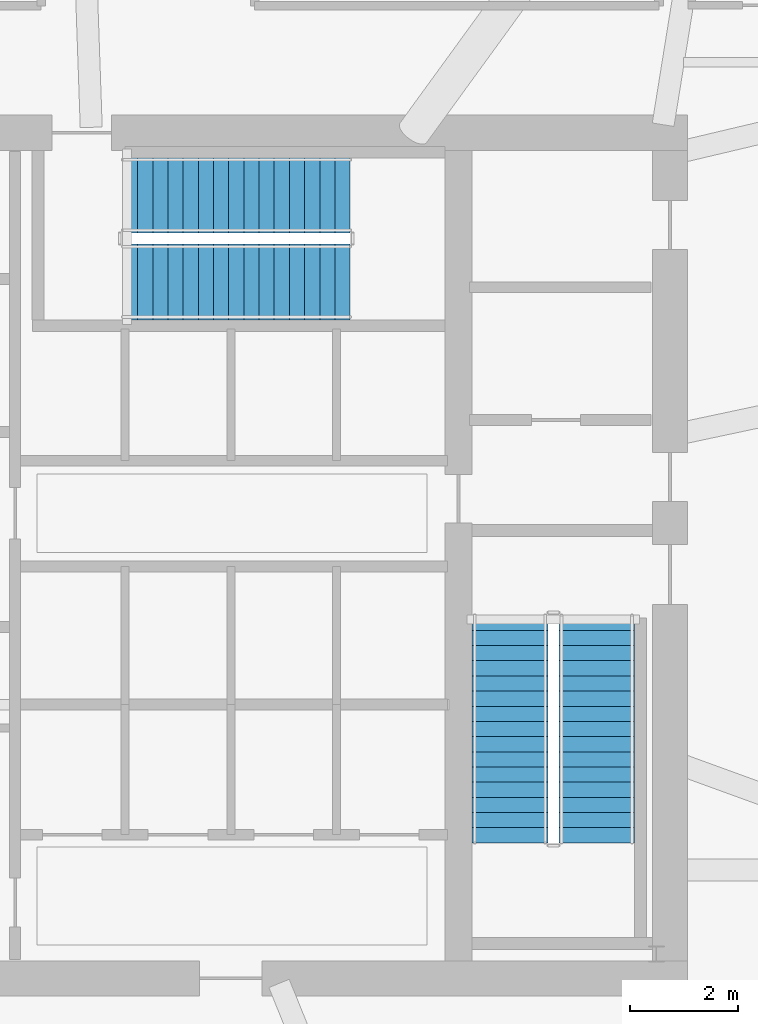
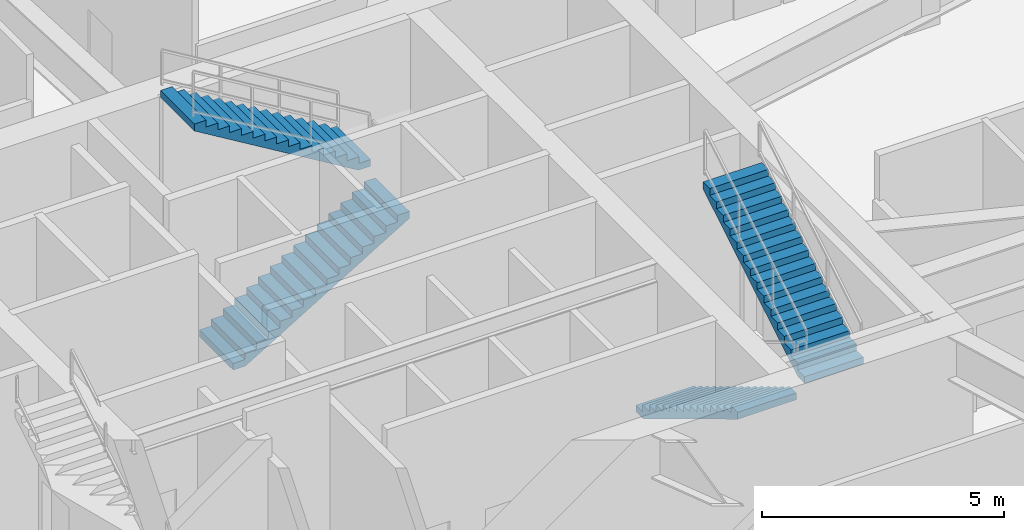
# One storey, part 7 of 10: 4 stair flights, 2 elements without a shape of their own.
"""IFC4 building model written with IfcOpenShell, lengths in metres."""

from ifc_helpers import new_model, si_unit, direction, frame, origin, place, context, subcontext, project, spatial, polyline, outline, extrude, material, type_object, element, aggregate, save


model = new_model("IFC4")

# Units and contexts
model_context = context("Model", 3, precision=1e-05, world=origin(), true_north=direction((0.0, 1.0)))
body_context = subcontext(model_context, "Body", "Model", "MODEL_VIEW")
ifc_project = project(units=[si_unit("LENGTHUNIT", "METRE"), si_unit("AREAUNIT", "SQUARE_METRE"), si_unit("VOLUMEUNIT", "CUBIC_METRE"), si_unit("PLANEANGLEUNIT", "RADIAN"), si_unit("MASSUNIT", "GRAM", prefix="KILO")], contexts=[model_context])

# Site, building, storey
site_placement = place(None, origin())
site = spatial("IfcSite", under=ifc_project, at=site_placement, CompositionType="ELEMENT")
building_placement = place(site_placement, origin())
building = spatial("IfcBuilding", under=site, at=building_placement, Name="Qarnah Convention Tower", CompositionType="ELEMENT")
storey_placement = place(building_placement, frame((0.0, 0.0, 21.60009765625)))
storey = spatial("IfcBuildingStorey", under=building, at=storey_placement, Name="L04", CompositionType="ELEMENT", Elevation=21.60009765625)

# Stair, stair flights
ifc_material = material(Name="Concrete C50/60", Category="concrete")
stair_type = type_object("IfcStairType", Name="STR-POD", PredefinedType="HALF_TURN_STAIR", material=ifc_material)
stair_1_placement = place(storey_placement, origin())
stair_1 = element("IfcStair", 1, at=stair_1_placement, inside=storey, type_object=stair_type, Name="L04 Core exit stair ST-2", PredefinedType="HALF_TURN_STAIR")
stair_flight_type = type_object("IfcStairFlightType", Name="FLT-POD", PredefinedType="STRAIGHT", material=ifc_material)
stair_flight_1_placement = place(storey_placement, frame((44.64990234375, 25.300048828125, 0.0), z_axis=(0.0, 0.0, 1.0), x_axis=(0.0, -1.0, 0.0)))
stair_flight_1 = element("IfcStairFlight", 2, at=stair_flight_1_placement, type_object=stair_flight_type, Name="ST-2 flight 1", NumberOfRisers=16, NumberOfTreads=15, PredefinedType="STRAIGHT", RiserHeight=0.16875, TreadLength=0.28, context=body_context, shape_type="SweptSolid", body=[
    extrude(outline(polyline([(0.0, 0.0), (0.0, 0.168701171875), (0.280029296875, 0.168701171875), (0.280029296875, 0.33740234375), (0.56005859375, 0.33740234375), (0.56005859375, 0.50634765625), (0.840087890625, 0.50634765625), (0.840087890625, 0.675048828125), (1.1201171875, 0.675048828125), (1.1201171875, 0.84375), (1.39990234375, 0.84375), (1.39990234375, 1.012451171875), (1.679931640625, 1.012451171875), (1.679931640625, 1.18115234375), (1.9599609375, 1.18115234375), (1.9599609375, 1.35009765625), (2.239990234375, 1.35009765625), (2.239990234375, 1.518798828125), (2.52001953125, 1.518798828125), (2.52001953125, 1.6875), (2.800048828125, 1.6875), (2.800048828125, 1.856201171875), (3.080078125, 1.856201171875), (3.080078125, 2.02490234375), (3.360107421875, 2.02490234375), (3.360107421875, 2.19384765625), (3.639892578125, 2.19384765625), (3.639892578125, 2.362548828125), (3.919921875, 2.362548828125), (3.919921875, 2.53125), (4.199951171875, 2.53125), (4.199951171875, 2.699951171875), (4.199951171875, 2.356201171875), (0.29052734375, 0.0), (0.0, 0.0)])), frame((0.0, 0.699951171875, 0.0), z_axis=(0.0, -1.0, 0.0), x_axis=(1.0, 0.0, 0.0)), (0.0, 0.0, 1.0), 1.39990234375),
])
stair_flight_2_placement = place(storey_placement, frame((46.25, 21.10009765625, 2.699951171875), z_axis=(0.0, 0.0, 1.0), x_axis=(0.0, 1.0, 0.0)))
stair_flight_2 = element("IfcStairFlight", 3, at=stair_flight_2_placement, type_object=stair_flight_type, Name="ST-2 flight 2", NumberOfRisers=16, NumberOfTreads=15, PredefinedType="STRAIGHT", RiserHeight=0.16875, TreadLength=0.28, context=body_context, shape_type="SweptSolid", body=[
    extrude(outline(polyline([(0.0, 0.0), (0.0, 0.168701171875), (0.280029296875, 0.168701171875), (0.280029296875, 0.33740234375), (0.56005859375, 0.33740234375), (0.56005859375, 0.50634765625), (0.840087890625, 0.50634765625), (0.840087890625, 0.675048828125), (1.1201171875, 0.675048828125), (1.1201171875, 0.84375), (1.39990234375, 0.84375), (1.39990234375, 1.012451171875), (1.679931640625, 1.012451171875), (1.679931640625, 1.18115234375), (1.9599609375, 1.18115234375), (1.9599609375, 1.35009765625), (2.239990234375, 1.35009765625), (2.239990234375, 1.518798828125), (2.52001953125, 1.518798828125), (2.52001953125, 1.6875), (2.800048828125, 1.6875), (2.800048828125, 1.856201171875), (3.080078125, 1.856201171875), (3.080078125, 2.02490234375), (3.360107421875, 2.02490234375), (3.360107421875, 2.19384765625), (3.639892578125, 2.19384765625), (3.639892578125, 2.362548828125), (3.919921875, 2.362548828125), (3.919921875, 2.53125), (4.199951171875, 2.53125), (4.199951171875, 2.699951171875), (4.199951171875, 2.356201171875), (0.29052734375, 0.0), (0.0, 0.0)])), frame((0.0, 0.699951171875, 0.0), z_axis=(0.0, -1.0, 0.0), x_axis=(1.0, 0.0, 0.0)), (0.0, 0.0, 1.0), 1.39990234375),
])
aggregate(stair_1, [stair_flight_1, stair_flight_2])

stair_2_placement = place(storey_placement, origin())
stair_2 = element("IfcStair", 4, at=stair_2_placement, inside=storey, type_object=stair_type, Name="L04 Core exit stair ST-3", PredefinedType="HALF_TURN_STAIR")
stair_flight_3_placement = place(storey_placement, frame((37.5, 31.449951171875, 0.0), z_axis=(0.0, 0.0, 1.0), x_axis=(1.0, 0.0, 0.0)))
stair_flight_3 = element("IfcStairFlight", 5, at=stair_flight_3_placement, type_object=stair_flight_type, Name="ST-3 flight 1", NumberOfRisers=16, NumberOfTreads=15, PredefinedType="STRAIGHT", RiserHeight=0.16875, TreadLength=0.28, context=body_context, shape_type="SweptSolid", body=[
    extrude(outline(polyline([(0.0, 0.0), (0.0, 0.168701171875), (0.280029296875, 0.168701171875), (0.280029296875, 0.33740234375), (0.56005859375, 0.33740234375), (0.56005859375, 0.50634765625), (0.840087890625, 0.50634765625), (0.840087890625, 0.675048828125), (1.1201171875, 0.675048828125), (1.1201171875, 0.84375), (1.39990234375, 0.84375), (1.39990234375, 1.012451171875), (1.679931640625, 1.012451171875), (1.679931640625, 1.18115234375), (1.9599609375, 1.18115234375), (1.9599609375, 1.35009765625), (2.239990234375, 1.35009765625), (2.239990234375, 1.518798828125), (2.52001953125, 1.518798828125), (2.52001953125, 1.6875), (2.800048828125, 1.6875), (2.800048828125, 1.856201171875), (3.080078125, 1.856201171875), (3.080078125, 2.02490234375), (3.360107421875, 2.02490234375), (3.360107421875, 2.19384765625), (3.639892578125, 2.19384765625), (3.639892578125, 2.362548828125), (3.919921875, 2.362548828125), (3.919921875, 2.53125), (4.199951171875, 2.53125), (4.199951171875, 2.699951171875), (4.199951171875, 2.356201171875), (0.29052734375, 0.0), (0.0, 0.0)])), frame((0.0, 0.699951171875, 0.0), z_axis=(0.0, -1.0, 0.0), x_axis=(1.0, 0.0, 0.0)), (0.0, 0.0, 1.0), 1.39990234375),
])
stair_flight_4_placement = place(storey_placement, frame((41.699951171875, 33.050048828125, 2.699951171875), z_axis=(0.0, 0.0, 1.0), x_axis=(-1.0, 0.0, 0.0)))
stair_flight_4 = element("IfcStairFlight", 6, at=stair_flight_4_placement, type_object=stair_flight_type, Name="ST-3 flight 2", NumberOfRisers=16, NumberOfTreads=15, PredefinedType="STRAIGHT", RiserHeight=0.16875, TreadLength=0.28, context=body_context, shape_type="SweptSolid", body=[
    extrude(outline(polyline([(0.0, 0.0), (0.0, 0.168701171875), (0.280029296875, 0.168701171875), (0.280029296875, 0.33740234375), (0.56005859375, 0.33740234375), (0.56005859375, 0.50634765625), (0.840087890625, 0.50634765625), (0.840087890625, 0.675048828125), (1.1201171875, 0.675048828125), (1.1201171875, 0.84375), (1.39990234375, 0.84375), (1.39990234375, 1.012451171875), (1.679931640625, 1.012451171875), (1.679931640625, 1.18115234375), (1.9599609375, 1.18115234375), (1.9599609375, 1.35009765625), (2.239990234375, 1.35009765625), (2.239990234375, 1.518798828125), (2.52001953125, 1.518798828125), (2.52001953125, 1.6875), (2.800048828125, 1.6875), (2.800048828125, 1.856201171875), (3.080078125, 1.856201171875), (3.080078125, 2.02490234375), (3.360107421875, 2.02490234375), (3.360107421875, 2.19384765625), (3.639892578125, 2.19384765625), (3.639892578125, 2.362548828125), (3.919921875, 2.362548828125), (3.919921875, 2.53125), (4.199951171875, 2.53125), (4.199951171875, 2.699951171875), (4.199951171875, 2.356201171875), (0.29052734375, 0.0), (0.0, 0.0)])), frame((0.0, 0.699951171875, 0.0), z_axis=(0.0, -1.0, 0.0), x_axis=(1.0, 0.0, 0.0)), (0.0, 0.0, 1.0), 1.39990234375),
])
aggregate(stair_2, [stair_flight_3, stair_flight_4])

save(model, "model.ifc")
